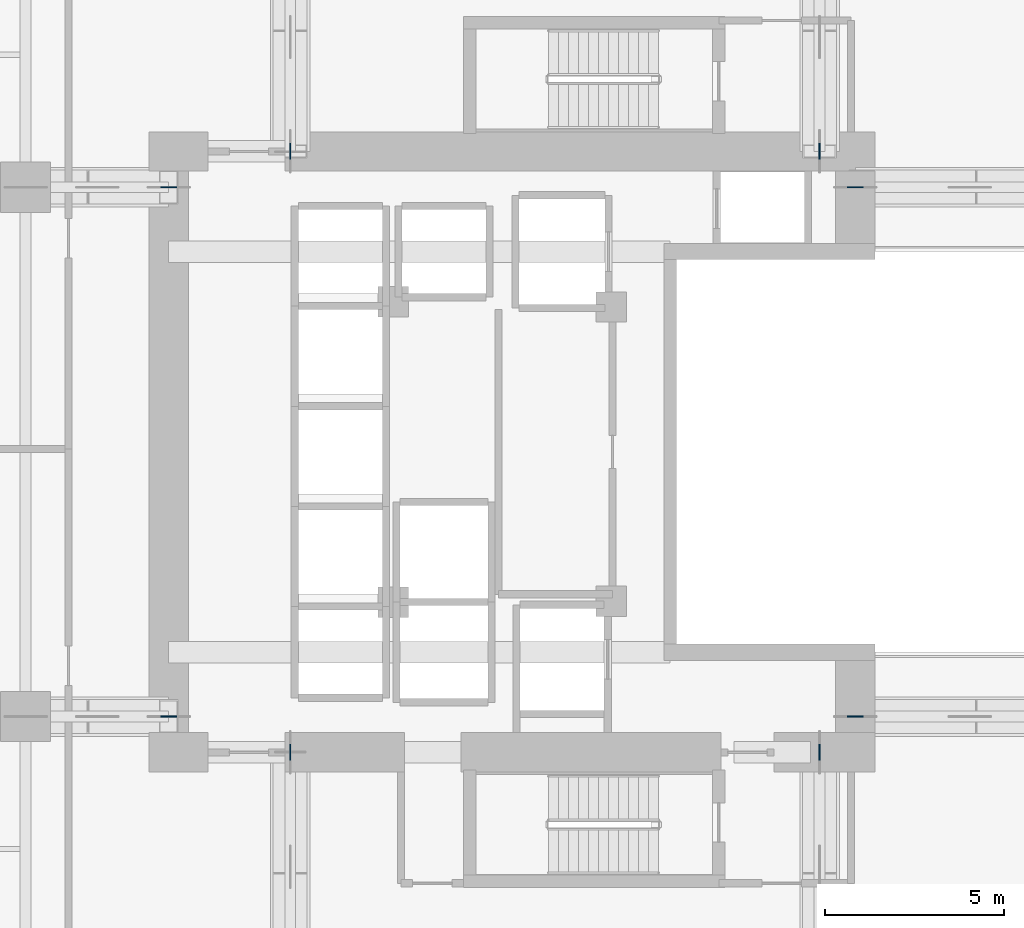
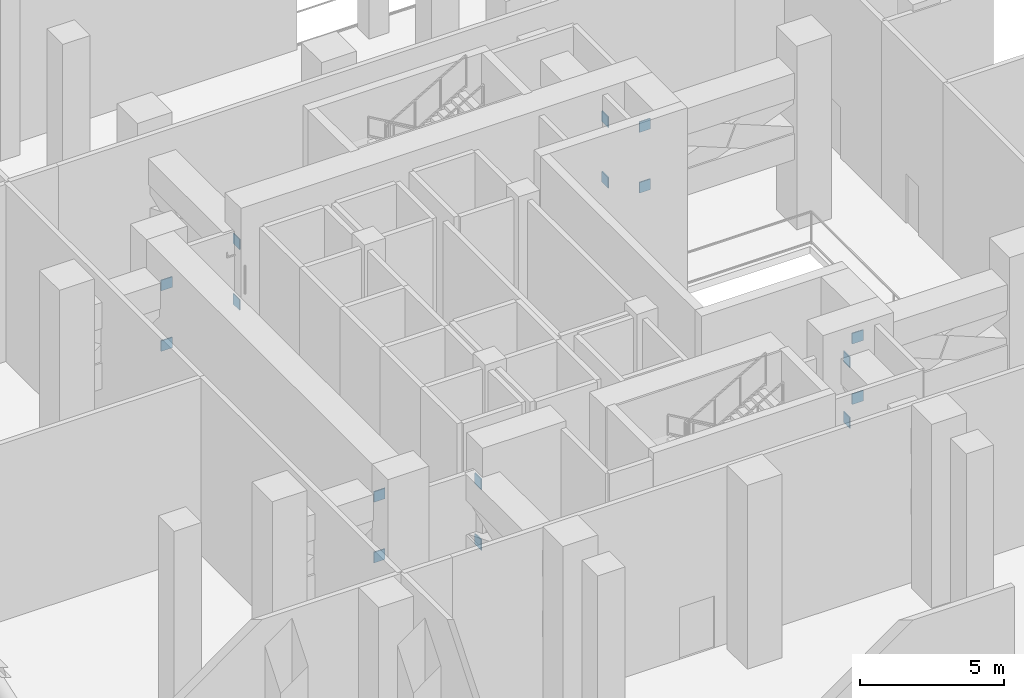
# One storey, part 7 of 11: 16 discrete accessories.
"""IFC4 building model written with IfcOpenShell, lengths in metres."""

from ifc_helpers import new_model, si_unit, direction, frame, origin, origin_2d, place, context, subcontext, project, spatial, rectangle, extrude, material, type_object, element, save


model = new_model("IFC4")

# Units and contexts
model_context = context("Model", 3, precision=1e-05, world=origin(), true_north=direction((0.0, 1.0)))
body_context = subcontext(model_context, "Body", "Model", "MODEL_VIEW")
ifc_project = project(units=[si_unit("LENGTHUNIT", "METRE"), si_unit("AREAUNIT", "SQUARE_METRE"), si_unit("VOLUMEUNIT", "CUBIC_METRE"), si_unit("PLANEANGLEUNIT", "RADIAN"), si_unit("MASSUNIT", "GRAM", prefix="KILO")], contexts=[model_context])

# Site, building, storey
site_placement = place(None, origin())
site = spatial("IfcSite", under=ifc_project, at=site_placement, CompositionType="ELEMENT")
building_placement = place(site_placement, origin())
building = spatial("IfcBuilding", under=site, at=building_placement, Name="Khorvyn Point Tower", CompositionType="ELEMENT")
storey_placement = place(building_placement, frame((0.0, 0.0, 77.39990234375)))
storey = spatial("IfcBuildingStorey", under=building, at=storey_placement, Name="L20", CompositionType="ELEMENT", Elevation=77.39990234375)

# Discrete accessories
ifc_material = material(Name="Steel S355", Category="steel")
discrete_accessory_type = type_object("IfcDiscreteAccessoryType", Name="Steel S355 Outrigger Core Embedment Anchor Plate 40", PredefinedType="BRACKET", material=ifc_material)
for number, where, z_axis, x_axis, name in (
    (1, (-10.800048828125, -7.39990234375, 3.22509765625), (0.0, 0.0, 1.0), (1.0, 0.0, 0.0), "L20 Outrigger Core Embedment Anchor Plate WSB"),
    (2, (-10.800048828125, -7.39990234375, 5.794921875), (0.0, 0.0, 1.0), (1.0, 0.0, 0.0), "L20 Outrigger Core Embedment Anchor Plate WST"),
    (3, (-10.800048828125, 7.39990234375, 3.22509765625), (0.0, 0.0, 1.0), (1.0, 0.0, 0.0), "L20 Outrigger Core Embedment Anchor Plate WNB"),
    (4, (-10.800048828125, 7.39990234375, 5.794921875), (0.0, 0.0, 1.0), (1.0, 0.0, 0.0), "L20 Outrigger Core Embedment Anchor Plate WNT"),
    (5, (8.39990234375, -7.39990234375, 3.22509765625), (0.0, 0.0, 1.0), (1.0, 0.0, 0.0), "L20 Outrigger Core Embedment Anchor Plate ESB"),
    (6, (8.39990234375, -7.39990234375, 5.794921875), (0.0, 0.0, 1.0), (1.0, 0.0, 0.0), "L20 Outrigger Core Embedment Anchor Plate EST"),
    (7, (8.39990234375, 7.39990234375, 3.22509765625), (0.0, 0.0, 1.0), (1.0, 0.0, 0.0), "L20 Outrigger Core Embedment Anchor Plate ENB"),
    (8, (8.39990234375, 7.39990234375, 5.794921875), (0.0, 0.0, 1.0), (1.0, 0.0, 0.0), "L20 Outrigger Core Embedment Anchor Plate ENT"),
):
    element("IfcDiscreteAccessory", number, at=place(storey_placement, frame(where, z_axis=z_axis, x_axis=x_axis)), inside=storey, type_object=discrete_accessory_type, Name=name, PredefinedType="BRACKET", context=body_context, shape_type="SweptSolid", body=[
        extrude(rectangle(XDim=0.449951171875, YDim=0.0400390625, at=origin_2d()), origin(), (0.0, 0.0, 1.0), 0.449951171875),
    ])
for number, where, z_axis, x_axis, name in (
    (9, (-7.39990234375, -8.39990234375, 3.22509765625), (0.0, 0.0, 1.0), (1.0, 0.0, 0.0), "L20 Outrigger Core Embedment Anchor Plate SWB"),
    (10, (-7.39990234375, -8.39990234375, 5.794921875), (0.0, 0.0, 1.0), (1.0, 0.0, 0.0), "L20 Outrigger Core Embedment Anchor Plate SWT"),
    (11, (7.39990234375, -8.39990234375, 3.22509765625), (0.0, 0.0, 1.0), (1.0, 0.0, 0.0), "L20 Outrigger Core Embedment Anchor Plate SEB"),
    (12, (7.39990234375, -8.39990234375, 5.794921875), (0.0, 0.0, 1.0), (1.0, 0.0, 0.0), "L20 Outrigger Core Embedment Anchor Plate SET"),
    (13, (-7.39990234375, 8.39990234375, 3.22509765625), (0.0, 0.0, 1.0), (1.0, 0.0, 0.0), "L20 Outrigger Core Embedment Anchor Plate NWB"),
    (14, (-7.39990234375, 8.39990234375, 5.794921875), (0.0, 0.0, 1.0), (1.0, 0.0, 0.0), "L20 Outrigger Core Embedment Anchor Plate NWT"),
    (15, (7.39990234375, 8.39990234375, 3.22509765625), (0.0, 0.0, 1.0), (1.0, 0.0, 0.0), "L20 Outrigger Core Embedment Anchor Plate NEB"),
    (16, (7.39990234375, 8.39990234375, 5.794921875), (0.0, 0.0, 1.0), (1.0, 0.0, 0.0), "L20 Outrigger Core Embedment Anchor Plate NET"),
):
    element("IfcDiscreteAccessory", number, at=place(storey_placement, frame(where, z_axis=z_axis, x_axis=x_axis)), inside=storey, type_object=discrete_accessory_type, Name=name, PredefinedType="BRACKET", context=body_context, shape_type="SweptSolid", body=[
        extrude(rectangle(XDim=0.0400390625, YDim=0.449951171875, at=origin_2d()), origin(), (0.0, 0.0, 1.0), 0.449951171875),
    ])

save(model, "model.ifc")
